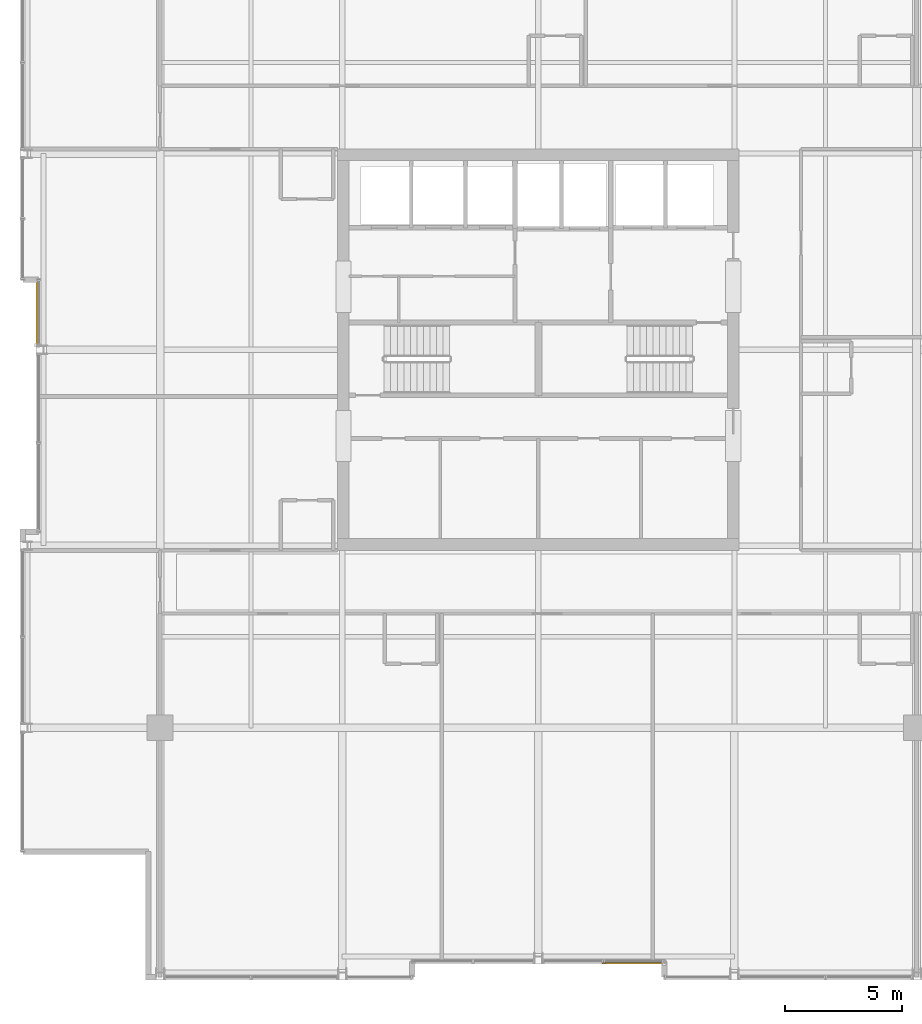
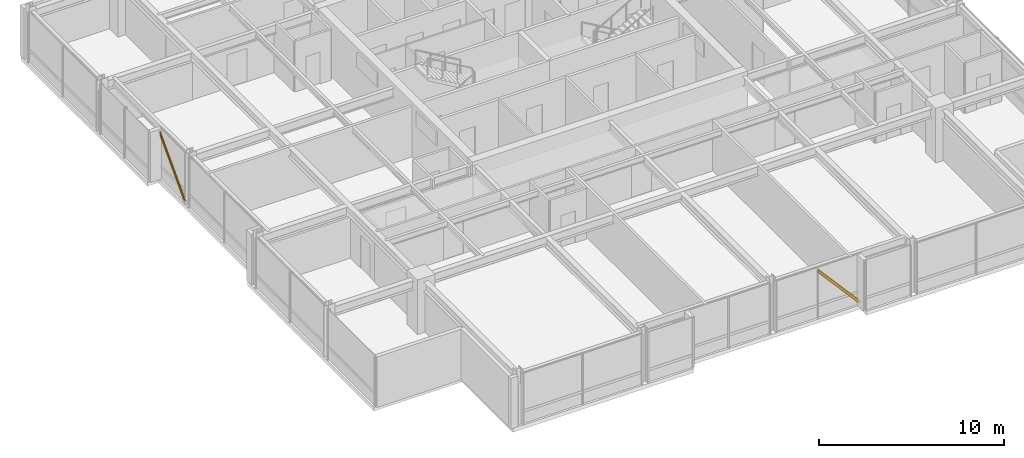
# One storey, part 29 of 31: 2 shading devices.
"""IFC4 building model written with IfcOpenShell, lengths in metres."""

from ifc_helpers import new_model, si_unit, direction, frame, origin, origin_2d, place, context, subcontext, project, spatial, hollow_rectangle, extrude, material, material_profile, profile_set, type_object, element, save


model = new_model("IFC4")

# Units and contexts
model_context = context("Model", 3, precision=1e-05, world=origin(), true_north=direction((0.0, 1.0)))
body_context = subcontext(model_context, "Body", "Model", "MODEL_VIEW")
ifc_project = project(units=[si_unit("LENGTHUNIT", "METRE"), si_unit("AREAUNIT", "SQUARE_METRE"), si_unit("VOLUMEUNIT", "CUBIC_METRE"), si_unit("PLANEANGLEUNIT", "RADIAN"), si_unit("MASSUNIT", "GRAM", prefix="KILO")], contexts=[model_context])

# Site, building, storey
site_placement = place(None, origin())
site = spatial("IfcSite", under=ifc_project, at=site_placement, CompositionType="ELEMENT")
building_placement = place(site_placement, origin())
building = spatial("IfcBuilding", under=site, at=building_placement, Name="Drelvath Grand Hotel", CompositionType="ELEMENT")
storey_placement = place(building_placement, frame((0.0, 0.0, 219.5)))
storey = spatial("IfcBuildingStorey", under=building, at=storey_placement, Name="L57", CompositionType="ELEMENT", Elevation=219.5)

# Shading devices
ifc_material = material(Name="Platinum-Mist Anodised Aluminium", Category="aluminium")
ifc_material_profile = material_profile(ifc_material, hollow_rectangle(XDim=0.06494140625, YDim=0.159912109375, WallThickness=0.00390625, at=origin_2d()), Name="HSS160X65X4")
ifc_profile_set = profile_set([ifc_material_profile], Name="Platinum-Mist Anodised Aluminium")
shading_device_type = type_object("IfcShadingDeviceType", Name="Diagonal Solar Fin Platinum Anodised HSS160X65X4", PredefinedType="USERDEFINED", material=ifc_profile_set)
shading_device_1_placement = place(storey_placement, frame((-21.47998046875, 27.185302734375, 0.179931640625), z_axis=(0.0, 0.686658509865, 0.726980117218), x_axis=(-1.0, 0.0, 0.0)))
element("IfcShadingDevice", 1, at=shading_device_1_placement, inside=storey, type_object=shading_device_type, Name="L57 Diagonal Anodised Fin CW05-L57-WM2", ObjectType="FIN", PredefinedType="USERDEFINED", context=body_context, shape_type="SweptSolid", body=[
    extrude(hollow_rectangle(XDim=0.06494140625, YDim=0.159912109375, WallThickness=0.00390625, at=origin_2d()), origin(), (0.0, 0.0, 1.0), 4.09912109375),
])
shading_device_2_placement = place(storey_placement, frame((5.39990234375, 0.719970703125, 0.179931640625), z_axis=(-0.658460954074, 0.0, 0.752614889542), x_axis=(0.0, -1.0, 0.0)))
element("IfcShadingDevice", 2, at=shading_device_2_placement, inside=storey, type_object=shading_device_type, Name="L57 Diagonal Anodised Fin CW05-L57-SM2", ObjectType="FIN", PredefinedType="USERDEFINED", context=body_context, shape_type="SweptSolid", body=[
    extrude(hollow_rectangle(XDim=0.06494140625, YDim=0.159912109375, WallThickness=0.00390625, at=origin_2d()), origin(), (0.0, 0.0, 1.0), 3.95947265625),
])

save(model, "model.ifc")
